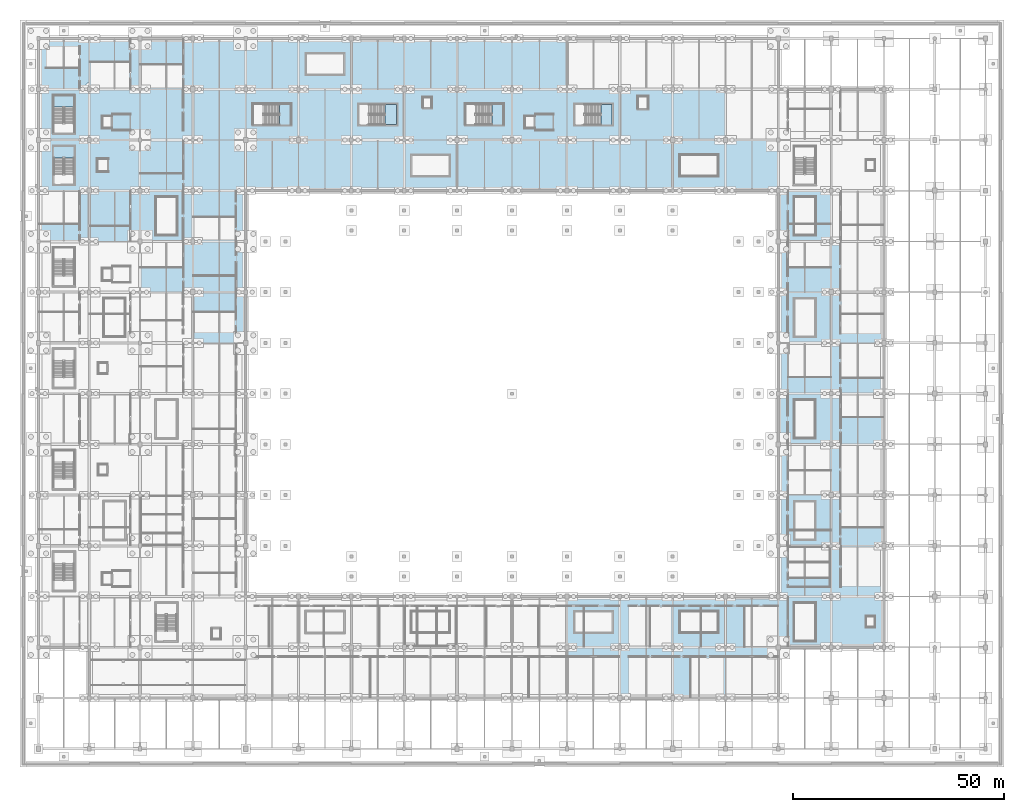
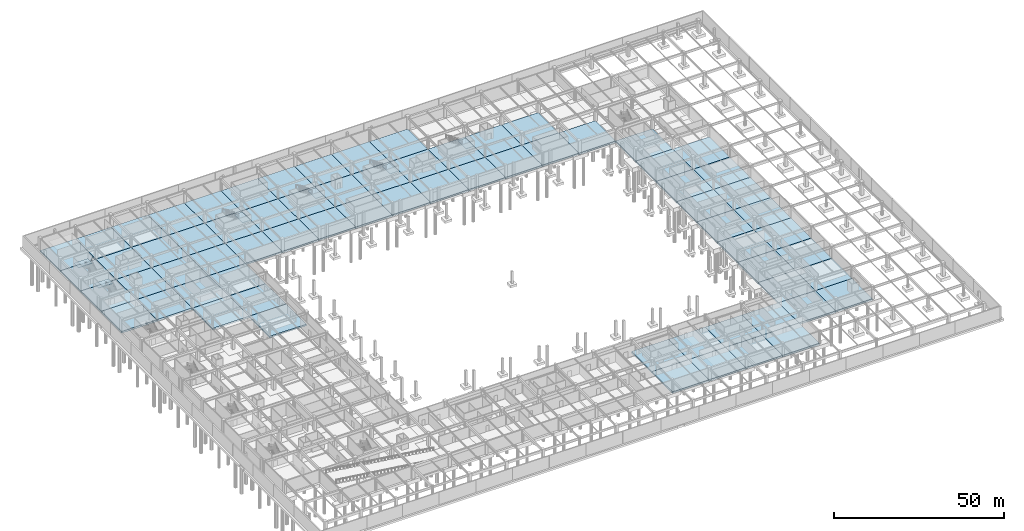
# One storey, part 21 of 56: 75 slabs, 6 elements without a shape of their own.
"""IFC4 building model written with IfcOpenShell, lengths in metres."""

from ifc_helpers import new_model, si_unit, direction, frame, origin, place, context, subcontext, project, spatial, polyline, outline, extrude, material, layer, layer_set, type_object, element, aggregate, save


model = new_model("IFC4")

# Units and contexts
model_context = context("Model", 3, precision=1e-05, world=origin(), true_north=direction((0.0, 1.0)))
body_context = subcontext(model_context, "Body", "Model", "MODEL_VIEW")
ifc_project = project(units=[si_unit("LENGTHUNIT", "METRE"), si_unit("AREAUNIT", "SQUARE_METRE"), si_unit("VOLUMEUNIT", "CUBIC_METRE"), si_unit("PLANEANGLEUNIT", "RADIAN"), si_unit("MASSUNIT", "GRAM", prefix="KILO")], contexts=[model_context])

# Site, building, storey
site_placement = place(None, origin())
site = spatial("IfcSite", under=ifc_project, at=site_placement, CompositionType="ELEMENT")
building_placement = place(site_placement, origin())
building = spatial("IfcBuilding", under=site, at=building_placement, Name="Kazenohara Klinker Stadium", CompositionType="ELEMENT")
storey_placement = place(building_placement, frame((0.0, 0.0, -4.800048828125)))
storey = spatial("IfcBuildingStorey", under=building, at=storey_placement, Name="B01", CompositionType="ELEMENT", Elevation=-4.800048828125)

# Slabs
ifc_material_1 = material(Name="Concrete C35/45", Category="concrete")
ifc_layer_1 = layer(ifc_material_1, 0.580078125)
ifc_layer_set_1 = layer_set([ifc_layer_1], Name="Concrete C35/45")
slab_type_1 = type_object("IfcSlabType", Name="SLB-BASE-580", PredefinedType="BASESLAB", material=ifc_layer_set_1)
slab_1_placement = place(storey_placement, frame((0.0, 0.0, -0.579833984375)))
element("IfcSlab", 1, at=slab_1_placement, inside=storey, type_object=slab_type_1, Name="Basement base slab BS02 1/M", PredefinedType="BASESLAB", context=body_context, shape_type="SweptSolid", body=[
    extrude(outline(polyline([(0.0, 132.0), (12.0, 132.0), (12.0, 144.0), (0.0, 144.0), (0.0, 132.0)])), origin(), (0.0, 0.0, 1.0), 0.579833984375),
])
slab_2_placement = place(storey_placement, frame((0.0, 0.0, -0.579833984375)))
element("IfcSlab", 2, at=slab_2_placement, inside=storey, type_object=slab_type_1, Name="Basement base slab BS02 1/P", PredefinedType="BASESLAB", context=body_context, shape_type="SweptSolid", body=[
    extrude(outline(polyline([(0.0, 156.0), (10.199951171875, 156.0), (12.0, 157.800048828125), (12.0, 168.0), (0.0, 168.0), (0.0, 156.0)])), origin(), (0.0, 0.0, 1.0), 0.579833984375),
])
slab_3_placement = place(storey_placement, frame((0.0, 0.0, -0.579833984375)))
element("IfcSlab", 3, at=slab_3_placement, inside=storey, type_object=slab_type_1, Name="Basement base slab BS02 2/L", PredefinedType="BASESLAB", context=body_context, shape_type="SweptSolid", body=[
    extrude(outline(polyline([(12.0, 120.0), (24.0, 120.0), (24.0, 132.0), (12.0, 132.0), (12.0, 120.0)])), origin(), (0.0, 0.0, 1.0), 0.579833984375),
])
slab_4_placement = place(storey_placement, frame((0.0, 0.0, -0.579833984375)))
element("IfcSlab", 4, at=slab_4_placement, inside=storey, type_object=slab_type_1, Name="Basement base slab BS02 2/N", PredefinedType="BASESLAB", context=body_context, shape_type="SweptSolid", body=[
    extrude(outline(polyline([(12.0, 144.0), (24.0, 144.0), (24.0, 156.0), (12.0, 156.0), (12.0, 144.0)])), origin(), (0.0, 0.0, 1.0), 0.579833984375),
])
slab_5_placement = place(storey_placement, frame((0.0, 0.0, -0.579833984375)))
element("IfcSlab", 5, at=slab_5_placement, inside=storey, type_object=slab_type_1, Name="Basement base slab BS02 3/K", PredefinedType="BASESLAB", context=body_context, shape_type="SweptSolid", body=[
    extrude(outline(polyline([(24.0, 108.0), (36.5, 108.0), (36.5, 120.0), (24.0, 120.0), (24.0, 108.0)])), origin(), (0.0, 0.0, 1.0), 0.579833984375),
])
slab_6_placement = place(storey_placement, frame((0.0, 0.0, -0.579833984375)))
element("IfcSlab", 6, at=slab_6_placement, inside=storey, type_object=slab_type_1, Name="Basement base slab BS02 3/M", PredefinedType="BASESLAB", context=body_context, shape_type="SweptSolid", body=[
    extrude(outline(polyline([(24.0, 132.0), (36.5, 132.0), (36.5, 144.0), (24.0, 144.0), (24.0, 132.0)])), origin(), (0.0, 0.0, 1.0), 0.579833984375),
])
slab_7_placement = place(storey_placement, frame((0.0, 0.0, -0.579833984375)))
element("IfcSlab", 7, at=slab_7_placement, inside=storey, type_object=slab_type_1, Name="Basement base slab BS02 3/P", PredefinedType="BASESLAB", context=body_context, shape_type="SweptSolid", body=[
    extrude(outline(polyline([(24.0, 156.0), (36.5, 156.0), (36.5, 168.0), (24.0, 168.0), (24.0, 156.0)])), origin(), (0.0, 0.0, 1.0), 0.579833984375),
])
slab_8_placement = place(storey_placement, frame((0.0, 0.0, -0.579833984375)))
element("IfcSlab", 8, at=slab_8_placement, inside=storey, type_object=slab_type_1, Name="Basement base slab BS02 4/J", PredefinedType="BASESLAB", context=body_context, shape_type="SweptSolid", body=[
    extrude(outline(polyline([(36.5, 96.0), (49.0, 96.0), (49.0, 108.0), (36.5, 108.0), (36.5, 96.0)])), origin(), (0.0, 0.0, 1.0), 0.579833984375),
])
slab_9_placement = place(storey_placement, frame((0.0, 0.0, -0.579833984375)))
element("IfcSlab", 9, at=slab_9_placement, inside=storey, type_object=slab_type_1, Name="Basement base slab BS02 4/L", PredefinedType="BASESLAB", context=body_context, shape_type="SweptSolid", body=[
    extrude(outline(polyline([(36.5, 120.0), (49.0, 120.0), (49.0, 132.0), (36.5, 132.0), (36.5, 120.0)])), origin(), (0.0, 0.0, 1.0), 0.579833984375),
])
slab_10_placement = place(storey_placement, frame((0.0, 0.0, -0.579833984375)))
element("IfcSlab", 10, at=slab_10_placement, inside=storey, type_object=slab_type_1, Name="Basement base slab BS02 4/N", PredefinedType="BASESLAB", context=body_context, shape_type="SweptSolid", body=[
    extrude(outline(polyline([(36.5, 144.0), (49.0, 144.0), (49.0, 156.0), (36.5, 156.0), (36.5, 144.0)])), origin(), (0.0, 0.0, 1.0), 0.579833984375),
])
slab_11_placement = place(storey_placement, frame((0.0, 0.0, -0.579833984375)))
element("IfcSlab", 11, at=slab_11_placement, inside=storey, type_object=slab_type_1, Name="Basement base slab BS02 5/M", PredefinedType="BASESLAB", context=body_context, shape_type="SweptSolid", body=[
    extrude(outline(polyline([(49.0, 132.0), (61.5, 132.0), (61.5, 144.0), (49.0, 144.0), (49.0, 132.0)])), origin(), (0.0, 0.0, 1.0), 0.579833984375),
])
slab_12_placement = place(storey_placement, frame((0.0, 0.0, -0.579833984375)))
element("IfcSlab", 12, at=slab_12_placement, inside=storey, type_object=slab_type_1, Name="Basement base slab BS02 5/P", PredefinedType="BASESLAB", context=body_context, shape_type="SweptSolid", body=[
    extrude(outline(polyline([(49.0, 156.0), (61.5, 156.0), (61.5, 168.0), (49.0, 168.0), (49.0, 156.0)])), origin(), (0.0, 0.0, 1.0), 0.579833984375),
])
slab_13_placement = place(storey_placement, frame((0.0, 0.0, -0.579833984375)))
element("IfcSlab", 13, at=slab_13_placement, inside=storey, type_object=slab_type_1, Name="Basement base slab BS02 6/N", PredefinedType="BASESLAB", context=body_context, shape_type="SweptSolid", body=[
    extrude(outline(polyline([(61.5, 144.0), (74.0, 144.0), (74.0, 156.0), (61.5, 156.0), (61.5, 144.0)])), origin(), (0.0, 0.0, 1.0), 0.579833984375),
])
slab_14_placement = place(storey_placement, frame((0.0, 0.0, -0.579833984375)))
element("IfcSlab", 14, at=slab_14_placement, inside=storey, type_object=slab_type_1, Name="Basement base slab BS02 7/M", PredefinedType="BASESLAB", context=body_context, shape_type="SweptSolid", body=[
    extrude(outline(polyline([(74.0, 132.0), (86.5, 132.0), (86.5, 144.0), (74.0, 144.0), (74.0, 132.0)])), origin(), (0.0, 0.0, 1.0), 0.579833984375),
])
slab_15_placement = place(storey_placement, frame((0.0, 0.0, -0.579833984375)))
element("IfcSlab", 15, at=slab_15_placement, inside=storey, type_object=slab_type_1, Name="Basement base slab BS02 7/P", PredefinedType="BASESLAB", context=body_context, shape_type="SweptSolid", body=[
    extrude(outline(polyline([(74.0, 156.0), (86.5, 156.0), (86.5, 168.0), (74.0, 168.0), (74.0, 156.0)])), origin(), (0.0, 0.0, 1.0), 0.579833984375),
])
slab_16_placement = place(storey_placement, frame((0.0, 0.0, -0.579833984375)))
element("IfcSlab", 16, at=slab_16_placement, inside=storey, type_object=slab_type_1, Name="Basement base slab BS02 8/N", PredefinedType="BASESLAB", context=body_context, shape_type="SweptSolid", body=[
    extrude(outline(polyline([(86.5, 144.0), (99.0, 144.0), (99.0, 156.0), (86.5, 156.0), (86.5, 144.0)])), origin(), (0.0, 0.0, 1.0), 0.579833984375),
])
slab_17_placement = place(storey_placement, frame((0.0, 0.0, -0.579833984375)))
element("IfcSlab", 17, at=slab_17_placement, inside=storey, type_object=slab_type_1, Name="Basement base slab BS02 9/M", PredefinedType="BASESLAB", context=body_context, shape_type="SweptSolid", body=[
    extrude(outline(polyline([(99.0, 132.0), (112.0, 132.0), (112.0, 144.0), (99.0, 144.0), (99.0, 132.0)])), origin(), (0.0, 0.0, 1.0), 0.579833984375),
])
slab_18_placement = place(storey_placement, frame((0.0, 0.0, -0.579833984375)))
element("IfcSlab", 18, at=slab_18_placement, inside=storey, type_object=slab_type_1, Name="Basement base slab BS02 9/P", PredefinedType="BASESLAB", context=body_context, shape_type="SweptSolid", body=[
    extrude(outline(polyline([(99.0, 156.0), (112.0, 156.0), (112.0, 168.0), (99.0, 168.0), (99.0, 156.0)])), origin(), (0.0, 0.0, 1.0), 0.579833984375),
])
slab_19_placement = place(storey_placement, frame((0.0, 0.0, -0.579833984375)))
element("IfcSlab", 19, at=slab_19_placement, inside=storey, type_object=slab_type_1, Name="Basement base slab BS02 10/N", PredefinedType="BASESLAB", context=body_context, shape_type="SweptSolid", body=[
    extrude(outline(polyline([(112.0, 144.0), (125.0, 144.0), (125.0, 156.0), (112.0, 156.0), (112.0, 144.0)])), origin(), (0.0, 0.0, 1.0), 0.579833984375),
])
slab_20_placement = place(storey_placement, frame((0.0, 0.0, -0.579833984375)))
element("IfcSlab", 20, at=slab_20_placement, inside=storey, type_object=slab_type_1, Name="Basement base slab BS02 11/B", PredefinedType="BASESLAB", context=body_context, shape_type="SweptSolid", body=[
    extrude(outline(polyline([(125.0, 12.0), (137.5, 12.0), (137.5, 24.0), (125.0, 24.0), (125.0, 12.0)])), origin(), (0.0, 0.0, 1.0), 0.579833984375),
])
slab_21_placement = place(storey_placement, frame((0.0, 0.0, -0.579833984375)))
element("IfcSlab", 21, at=slab_21_placement, inside=storey, type_object=slab_type_1, Name="Basement base slab BS02 11/M", PredefinedType="BASESLAB", context=body_context, shape_type="SweptSolid", body=[
    extrude(outline(polyline([(125.0, 132.0), (137.5, 132.0), (137.5, 144.0), (125.0, 144.0), (125.0, 132.0)])), origin(), (0.0, 0.0, 1.0), 0.579833984375),
])
slab_22_placement = place(storey_placement, frame((0.0, 0.0, -0.579833984375)))
element("IfcSlab", 22, at=slab_22_placement, inside=storey, type_object=slab_type_1, Name="Basement base slab BS02 12/C", PredefinedType="BASESLAB", context=body_context, shape_type="SweptSolid", body=[
    extrude(outline(polyline([(137.5, 24.0), (150.0, 24.0), (150.0, 36.0), (137.5, 36.0), (137.5, 24.0)])), origin(), (0.0, 0.0, 1.0), 0.579833984375),
])
slab_23_placement = place(storey_placement, frame((0.0, 0.0, -0.579833984375)))
element("IfcSlab", 23, at=slab_23_placement, inside=storey, type_object=slab_type_1, Name="Basement base slab BS02 12/N", PredefinedType="BASESLAB", context=body_context, shape_type="SweptSolid", body=[
    extrude(outline(polyline([(137.5, 144.0), (150.0, 144.0), (150.0, 156.0), (137.5, 156.0), (137.5, 144.0)])), origin(), (0.0, 0.0, 1.0), 0.579833984375),
])
slab_24_placement = place(storey_placement, frame((0.0, 0.0, -0.579833984375)))
element("IfcSlab", 24, at=slab_24_placement, inside=storey, type_object=slab_type_1, Name="Basement base slab BS02 13/B", PredefinedType="BASESLAB", context=body_context, shape_type="SweptSolid", body=[
    extrude(outline(polyline([(150.0, 12.0), (162.5, 12.0), (162.5, 24.0), (150.0, 24.0), (150.0, 12.0)])), origin(), (0.0, 0.0, 1.0), 0.579833984375),
])
slab_25_placement = place(storey_placement, frame((0.0, 0.0, -0.579833984375)))
element("IfcSlab", 25, at=slab_25_placement, inside=storey, type_object=slab_type_1, Name="Basement base slab BS02 13/M", PredefinedType="BASESLAB", context=body_context, shape_type="SweptSolid", body=[
    extrude(outline(polyline([(150.0, 132.0), (162.5, 132.0), (162.5, 144.0), (150.0, 144.0), (150.0, 132.0)])), origin(), (0.0, 0.0, 1.0), 0.579833984375),
])
slab_26_placement = place(storey_placement, frame((0.0, 0.0, -0.579833984375)))
element("IfcSlab", 26, at=slab_26_placement, inside=storey, type_object=slab_type_1, Name="Basement base slab BS02 14/C", PredefinedType="BASESLAB", context=body_context, shape_type="SweptSolid", body=[
    extrude(outline(polyline([(162.5, 24.0), (175.0, 24.0), (175.0, 36.0), (162.5, 36.0), (162.5, 24.0)])), origin(), (0.0, 0.0, 1.0), 0.579833984375),
])
slab_27_placement = place(storey_placement, frame((0.0, 0.0, -0.579833984375)))
element("IfcSlab", 27, at=slab_27_placement, inside=storey, type_object=slab_type_1, Name="Basement base slab BS02 15/D", PredefinedType="BASESLAB", context=body_context, shape_type="SweptSolid", body=[
    extrude(outline(polyline([(175.0, 36.0), (187.5, 36.0), (187.5, 48.0), (175.0, 48.0), (175.0, 36.0)])), origin(), (0.0, 0.0, 1.0), 0.579833984375),
])
slab_28_placement = place(storey_placement, frame((0.0, 0.0, -0.579833984375)))
element("IfcSlab", 28, at=slab_28_placement, inside=storey, type_object=slab_type_1, Name="Basement base slab BS02 15/F", PredefinedType="BASESLAB", context=body_context, shape_type="SweptSolid", body=[
    extrude(outline(polyline([(175.0, 60.0), (187.5, 60.0), (187.5, 72.0), (175.0, 72.0), (175.0, 60.0)])), origin(), (0.0, 0.0, 1.0), 0.579833984375),
])
slab_29_placement = place(storey_placement, frame((0.0, 0.0, -0.579833984375)))
element("IfcSlab", 29, at=slab_29_placement, inside=storey, type_object=slab_type_1, Name="Basement base slab BS02 15/H", PredefinedType="BASESLAB", context=body_context, shape_type="SweptSolid", body=[
    extrude(outline(polyline([(175.0, 84.0), (187.5, 84.0), (187.5, 96.0), (175.0, 96.0), (175.0, 84.0)])), origin(), (0.0, 0.0, 1.0), 0.579833984375),
])
slab_30_placement = place(storey_placement, frame((0.0, 0.0, -0.579833984375)))
element("IfcSlab", 30, at=slab_30_placement, inside=storey, type_object=slab_type_1, Name="Basement base slab BS02 15/K", PredefinedType="BASESLAB", context=body_context, shape_type="SweptSolid", body=[
    extrude(outline(polyline([(175.0, 108.0), (187.5, 108.0), (187.5, 120.0), (175.0, 120.0), (175.0, 108.0)])), origin(), (0.0, 0.0, 1.0), 0.579833984375),
])
slab_31_placement = place(storey_placement, frame((0.0, 0.0, -0.579833984375)))
element("IfcSlab", 31, at=slab_31_placement, inside=storey, type_object=slab_type_1, Name="Basement base slab BS02 16/C", PredefinedType="BASESLAB", context=body_context, shape_type="SweptSolid", body=[
    extrude(outline(polyline([(187.5, 24.0), (200.0, 24.0), (200.0, 36.0), (187.5, 36.0), (187.5, 24.0)])), origin(), (0.0, 0.0, 1.0), 0.579833984375),
])
slab_32_placement = place(storey_placement, frame((0.0, 0.0, -0.579833984375)))
element("IfcSlab", 32, at=slab_32_placement, inside=storey, type_object=slab_type_1, Name="Basement base slab BS02 16/E", PredefinedType="BASESLAB", context=body_context, shape_type="SweptSolid", body=[
    extrude(outline(polyline([(187.5, 48.0), (200.0, 48.0), (200.0, 60.0), (187.5, 60.0), (187.5, 48.0)])), origin(), (0.0, 0.0, 1.0), 0.579833984375),
])
slab_33_placement = place(storey_placement, frame((0.0, 0.0, -0.579833984375)))
element("IfcSlab", 33, at=slab_33_placement, inside=storey, type_object=slab_type_1, Name="Basement base slab BS02 16/G", PredefinedType="BASESLAB", context=body_context, shape_type="SweptSolid", body=[
    extrude(outline(polyline([(187.5, 72.0), (200.0, 72.0), (200.0, 84.0), (187.5, 84.0), (187.5, 72.0)])), origin(), (0.0, 0.0, 1.0), 0.579833984375),
])
slab_34_placement = place(storey_placement, frame((0.0, 0.0, -0.579833984375)))
element("IfcSlab", 34, at=slab_34_placement, inside=storey, type_object=slab_type_1, Name="Basement base slab BS02 16/J", PredefinedType="BASESLAB", context=body_context, shape_type="SweptSolid", body=[
    extrude(outline(polyline([(187.5, 96.0), (200.0, 96.0), (200.0, 108.0), (187.5, 108.0), (187.5, 96.0)])), origin(), (0.0, 0.0, 1.0), 0.579833984375),
])
ifc_layer_2 = layer(ifc_material_1, 0.64990234375)
ifc_layer_set_2 = layer_set([ifc_layer_2], Name="Concrete C35/45")
slab_type_2 = type_object("IfcSlabType", Name="SLB-BASE-650", PredefinedType="BASESLAB", material=ifc_layer_set_2)
slab_35_placement = place(storey_placement, frame((0.0, 0.0, -0.64990234375)))
element("IfcSlab", 35, at=slab_35_placement, inside=storey, type_object=slab_type_2, Name="Basement base slab BS01 1/L", PredefinedType="BASESLAB", context=body_context, shape_type="SweptSolid", body=[
    extrude(outline(polyline([(0.0, 120.0), (12.0, 120.0), (12.0, 132.0), (0.0, 132.0), (0.0, 120.0)])), origin(), (0.0, 0.0, 1.0), 0.64990234375),
])
slab_36_placement = place(storey_placement, frame((0.0, 0.0, -0.64990234375)))
element("IfcSlab", 36, at=slab_36_placement, inside=storey, type_object=slab_type_2, Name="Basement base slab BS01 1/N", PredefinedType="BASESLAB", context=body_context, shape_type="SweptSolid", body=[
    extrude(outline(polyline([(0.0, 144.0), (12.0, 144.0), (12.0, 156.0), (0.0, 156.0), (0.0, 144.0)])), origin(), (0.0, 0.0, 1.0), 0.64990234375),
])
slab_37_placement = place(storey_placement, frame((0.0, 0.0, -0.64990234375)))
element("IfcSlab", 37, at=slab_37_placement, inside=storey, type_object=slab_type_2, Name="Basement base slab BS01 2/M", PredefinedType="BASESLAB", context=body_context, shape_type="SweptSolid", body=[
    extrude(outline(polyline([(12.0, 132.0), (24.0, 132.0), (24.0, 144.0), (12.0, 144.0), (12.0, 132.0)])), origin(), (0.0, 0.0, 1.0), 0.64990234375),
])
slab_38_placement = place(storey_placement, frame((0.0, 0.0, -0.64990234375)))
element("IfcSlab", 38, at=slab_38_placement, inside=storey, type_object=slab_type_2, Name="Basement base slab BS01 2/P", PredefinedType="BASESLAB", context=body_context, shape_type="SweptSolid", body=[
    extrude(outline(polyline([(12.0, 156.0), (24.0, 156.0), (24.0, 168.0), (12.0, 168.0), (12.0, 156.0)])), origin(), (0.0, 0.0, 1.0), 0.64990234375),
])
slab_39_placement = place(storey_placement, frame((0.0, 0.0, -0.64990234375)))
element("IfcSlab", 39, at=slab_39_placement, inside=storey, type_object=slab_type_2, Name="Basement base slab BS01 3/L", PredefinedType="BASESLAB", context=body_context, shape_type="SweptSolid", body=[
    extrude(outline(polyline([(24.0, 120.0), (36.5, 120.0), (36.5, 132.0), (24.0, 132.0), (24.0, 120.0)])), origin(), (0.0, 0.0, 1.0), 0.64990234375),
])
slab_40_placement = place(storey_placement, frame((0.0, 0.0, -0.64990234375)))
element("IfcSlab", 40, at=slab_40_placement, inside=storey, type_object=slab_type_2, Name="Basement base slab BS01 3/N", PredefinedType="BASESLAB", context=body_context, shape_type="SweptSolid", body=[
    extrude(outline(polyline([(24.0, 144.0), (36.5, 144.0), (36.5, 156.0), (24.0, 156.0), (24.0, 144.0)])), origin(), (0.0, 0.0, 1.0), 0.64990234375),
])
slab_41_placement = place(storey_placement, frame((0.0, 0.0, -0.64990234375)))
element("IfcSlab", 41, at=slab_41_placement, inside=storey, type_object=slab_type_2, Name="Basement base slab BS01 4/K", PredefinedType="BASESLAB", context=body_context, shape_type="SweptSolid", body=[
    extrude(outline(polyline([(36.5, 108.0), (49.0, 108.0), (49.0, 120.0), (36.5, 120.0), (36.5, 108.0)])), origin(), (0.0, 0.0, 1.0), 0.64990234375),
])
slab_42_placement = place(storey_placement, frame((0.0, 0.0, -0.64990234375)))
element("IfcSlab", 42, at=slab_42_placement, inside=storey, type_object=slab_type_2, Name="Basement base slab BS01 4/M", PredefinedType="BASESLAB", context=body_context, shape_type="SweptSolid", body=[
    extrude(outline(polyline([(36.5, 132.0), (49.0, 132.0), (49.0, 144.0), (36.5, 144.0), (36.5, 132.0)])), origin(), (0.0, 0.0, 1.0), 0.64990234375),
])
slab_43_placement = place(storey_placement, frame((0.0, 0.0, -0.64990234375)))
element("IfcSlab", 43, at=slab_43_placement, inside=storey, type_object=slab_type_2, Name="Basement base slab BS01 4/P", PredefinedType="BASESLAB", context=body_context, shape_type="SweptSolid", body=[
    extrude(outline(polyline([(36.5, 156.0), (49.0, 156.0), (49.0, 168.0), (36.5, 168.0), (36.5, 156.0)])), origin(), (0.0, 0.0, 1.0), 0.64990234375),
])
slab_44_placement = place(storey_placement, frame((0.0, 0.0, -0.64990234375)))
element("IfcSlab", 44, at=slab_44_placement, inside=storey, type_object=slab_type_2, Name="Basement base slab BS01 5/N", PredefinedType="BASESLAB", context=body_context, shape_type="SweptSolid", body=[
    extrude(outline(polyline([(49.0, 144.0), (61.5, 144.0), (61.5, 156.0), (49.0, 156.0), (49.0, 144.0)])), origin(), (0.0, 0.0, 1.0), 0.64990234375),
])
slab_45_placement = place(storey_placement, frame((0.0, 0.0, -0.64990234375)))
element("IfcSlab", 45, at=slab_45_placement, inside=storey, type_object=slab_type_2, Name="Basement base slab BS01 6/M", PredefinedType="BASESLAB", context=body_context, shape_type="SweptSolid", body=[
    extrude(outline(polyline([(61.5, 132.0), (74.0, 132.0), (74.0, 144.0), (61.5, 144.0), (61.5, 132.0)])), origin(), (0.0, 0.0, 1.0), 0.64990234375),
])
slab_46_placement = place(storey_placement, frame((0.0, 0.0, -0.64990234375)))
element("IfcSlab", 46, at=slab_46_placement, inside=storey, type_object=slab_type_2, Name="Basement base slab BS01 6/P", PredefinedType="BASESLAB", context=body_context, shape_type="SweptSolid", body=[
    extrude(outline(polyline([(61.5, 156.0), (74.0, 156.0), (74.0, 168.0), (61.5, 168.0), (61.5, 156.0)])), origin(), (0.0, 0.0, 1.0), 0.64990234375),
])
slab_47_placement = place(storey_placement, frame((0.0, 0.0, -0.64990234375)))
element("IfcSlab", 47, at=slab_47_placement, inside=storey, type_object=slab_type_2, Name="Basement base slab BS01 7/N", PredefinedType="BASESLAB", context=body_context, shape_type="SweptSolid", body=[
    extrude(outline(polyline([(74.0, 144.0), (86.5, 144.0), (86.5, 156.0), (74.0, 156.0), (74.0, 144.0)])), origin(), (0.0, 0.0, 1.0), 0.64990234375),
])
slab_48_placement = place(storey_placement, frame((0.0, 0.0, -0.64990234375)))
element("IfcSlab", 48, at=slab_48_placement, inside=storey, type_object=slab_type_2, Name="Basement base slab BS01 8/M", PredefinedType="BASESLAB", context=body_context, shape_type="SweptSolid", body=[
    extrude(outline(polyline([(86.5, 132.0), (99.0, 132.0), (99.0, 144.0), (86.5, 144.0), (86.5, 132.0)])), origin(), (0.0, 0.0, 1.0), 0.64990234375),
])
slab_49_placement = place(storey_placement, frame((0.0, 0.0, -0.64990234375)))
element("IfcSlab", 49, at=slab_49_placement, inside=storey, type_object=slab_type_2, Name="Basement base slab BS01 8/P", PredefinedType="BASESLAB", context=body_context, shape_type="SweptSolid", body=[
    extrude(outline(polyline([(86.5, 156.0), (99.0, 156.0), (99.0, 168.0), (86.5, 168.0), (86.5, 156.0)])), origin(), (0.0, 0.0, 1.0), 0.64990234375),
])
slab_50_placement = place(storey_placement, frame((0.0, 0.0, -0.64990234375)))
element("IfcSlab", 50, at=slab_50_placement, inside=storey, type_object=slab_type_2, Name="Basement base slab BS01 9/N", PredefinedType="BASESLAB", context=body_context, shape_type="SweptSolid", body=[
    extrude(outline(polyline([(99.0, 144.0), (112.0, 144.0), (112.0, 156.0), (99.0, 156.0), (99.0, 144.0)])), origin(), (0.0, 0.0, 1.0), 0.64990234375),
])
slab_51_placement = place(storey_placement, frame((0.0, 0.0, -0.64990234375)))
element("IfcSlab", 51, at=slab_51_placement, inside=storey, type_object=slab_type_2, Name="Basement base slab BS01 10/M", PredefinedType="BASESLAB", context=body_context, shape_type="SweptSolid", body=[
    extrude(outline(polyline([(112.0, 132.0), (125.0, 132.0), (125.0, 144.0), (112.0, 144.0), (112.0, 132.0)])), origin(), (0.0, 0.0, 1.0), 0.64990234375),
])
slab_52_placement = place(storey_placement, frame((0.0, 0.0, -0.64990234375)))
element("IfcSlab", 52, at=slab_52_placement, inside=storey, type_object=slab_type_2, Name="Basement base slab BS01 10/P", PredefinedType="BASESLAB", context=body_context, shape_type="SweptSolid", body=[
    extrude(outline(polyline([(112.0, 156.0), (125.0, 156.0), (125.0, 168.0), (112.0, 168.0), (112.0, 156.0)])), origin(), (0.0, 0.0, 1.0), 0.64990234375),
])
slab_53_placement = place(storey_placement, frame((0.0, 0.0, -0.64990234375)))
element("IfcSlab", 53, at=slab_53_placement, inside=storey, type_object=slab_type_2, Name="Basement base slab BS01 11/C", PredefinedType="BASESLAB", context=body_context, shape_type="SweptSolid", body=[
    extrude(outline(polyline([(125.0, 24.0), (137.5, 24.0), (137.5, 36.0), (125.0, 36.0), (125.0, 24.0)])), origin(), (0.0, 0.0, 1.0), 0.64990234375),
])
slab_54_placement = place(storey_placement, frame((0.0, 0.0, -0.64990234375)))
element("IfcSlab", 54, at=slab_54_placement, inside=storey, type_object=slab_type_2, Name="Basement base slab BS01 11/N", PredefinedType="BASESLAB", context=body_context, shape_type="SweptSolid", body=[
    extrude(outline(polyline([(125.0, 144.0), (137.5, 144.0), (137.5, 156.0), (125.0, 156.0), (125.0, 144.0)])), origin(), (0.0, 0.0, 1.0), 0.64990234375),
])
slab_55_placement = place(storey_placement, frame((0.0, 0.0, -0.64990234375)))
element("IfcSlab", 55, at=slab_55_placement, inside=storey, type_object=slab_type_2, Name="Basement base slab BS01 12/B", PredefinedType="BASESLAB", context=body_context, shape_type="SweptSolid", body=[
    extrude(outline(polyline([(137.5, 12.0), (150.0, 12.0), (150.0, 24.0), (137.5, 24.0), (137.5, 12.0)])), origin(), (0.0, 0.0, 1.0), 0.64990234375),
])
slab_56_placement = place(storey_placement, frame((0.0, 0.0, -0.64990234375)))
element("IfcSlab", 56, at=slab_56_placement, inside=storey, type_object=slab_type_2, Name="Basement base slab BS01 12/M", PredefinedType="BASESLAB", context=body_context, shape_type="SweptSolid", body=[
    extrude(outline(polyline([(137.5, 132.0), (150.0, 132.0), (150.0, 144.0), (137.5, 144.0), (137.5, 132.0)])), origin(), (0.0, 0.0, 1.0), 0.64990234375),
])
slab_57_placement = place(storey_placement, frame((0.0, 0.0, -0.64990234375)))
element("IfcSlab", 57, at=slab_57_placement, inside=storey, type_object=slab_type_2, Name="Basement base slab BS01 13/C", PredefinedType="BASESLAB", context=body_context, shape_type="SweptSolid", body=[
    extrude(outline(polyline([(150.0, 24.0), (162.5, 24.0), (162.5, 36.0), (150.0, 36.0), (150.0, 24.0)])), origin(), (0.0, 0.0, 1.0), 0.64990234375),
])
slab_58_placement = place(storey_placement, frame((0.0, 0.0, -0.64990234375)))
element("IfcSlab", 58, at=slab_58_placement, inside=storey, type_object=slab_type_2, Name="Basement base slab BS01 13/N", PredefinedType="BASESLAB", context=body_context, shape_type="SweptSolid", body=[
    extrude(outline(polyline([(150.0, 144.0), (162.5, 144.0), (162.5, 156.0), (150.0, 156.0), (150.0, 144.0)])), origin(), (0.0, 0.0, 1.0), 0.64990234375),
])
slab_59_placement = place(storey_placement, frame((0.0, 0.0, -0.64990234375)))
element("IfcSlab", 59, at=slab_59_placement, inside=storey, type_object=slab_type_2, Name="Basement base slab BS01 14/B", PredefinedType="BASESLAB", context=body_context, shape_type="SweptSolid", body=[
    extrude(outline(polyline([(162.5, 12.0), (175.0, 12.0), (175.0, 24.0), (162.5, 24.0), (162.5, 12.0)])), origin(), (0.0, 0.0, 1.0), 0.64990234375),
])
slab_60_placement = place(storey_placement, frame((0.0, 0.0, -0.64990234375)))
element("IfcSlab", 60, at=slab_60_placement, inside=storey, type_object=slab_type_2, Name="Basement base slab BS01 14/M", PredefinedType="BASESLAB", context=body_context, shape_type="SweptSolid", body=[
    extrude(outline(polyline([(162.5, 132.0), (175.0, 132.0), (175.0, 144.0), (162.5, 144.0), (162.5, 132.0)])), origin(), (0.0, 0.0, 1.0), 0.64990234375),
])
slab_61_placement = place(storey_placement, frame((0.0, 0.0, -0.64990234375)))
element("IfcSlab", 61, at=slab_61_placement, inside=storey, type_object=slab_type_2, Name="Basement base slab BS01 15/C", PredefinedType="BASESLAB", context=body_context, shape_type="SweptSolid", body=[
    extrude(outline(polyline([(175.0, 24.0), (187.5, 24.0), (187.5, 36.0), (175.0, 36.0), (175.0, 24.0)])), origin(), (0.0, 0.0, 1.0), 0.64990234375),
])
slab_62_placement = place(storey_placement, frame((0.0, 0.0, -0.64990234375)))
element("IfcSlab", 62, at=slab_62_placement, inside=storey, type_object=slab_type_2, Name="Basement base slab BS01 15/E", PredefinedType="BASESLAB", context=body_context, shape_type="SweptSolid", body=[
    extrude(outline(polyline([(175.0, 48.0), (187.5, 48.0), (187.5, 60.0), (175.0, 60.0), (175.0, 48.0)])), origin(), (0.0, 0.0, 1.0), 0.64990234375),
])
slab_63_placement = place(storey_placement, frame((0.0, 0.0, -0.64990234375)))
element("IfcSlab", 63, at=slab_63_placement, inside=storey, type_object=slab_type_2, Name="Basement base slab BS01 15/G", PredefinedType="BASESLAB", context=body_context, shape_type="SweptSolid", body=[
    extrude(outline(polyline([(175.0, 72.0), (187.5, 72.0), (187.5, 84.0), (175.0, 84.0), (175.0, 72.0)])), origin(), (0.0, 0.0, 1.0), 0.64990234375),
])
slab_64_placement = place(storey_placement, frame((0.0, 0.0, -0.64990234375)))
element("IfcSlab", 64, at=slab_64_placement, inside=storey, type_object=slab_type_2, Name="Basement base slab BS01 15/J", PredefinedType="BASESLAB", context=body_context, shape_type="SweptSolid", body=[
    extrude(outline(polyline([(175.0, 96.0), (187.5, 96.0), (187.5, 108.0), (175.0, 108.0), (175.0, 96.0)])), origin(), (0.0, 0.0, 1.0), 0.64990234375),
])
slab_65_placement = place(storey_placement, frame((0.0, 0.0, -0.64990234375)))
element("IfcSlab", 65, at=slab_65_placement, inside=storey, type_object=slab_type_2, Name="Basement base slab BS01 15/L", PredefinedType="BASESLAB", context=body_context, shape_type="SweptSolid", body=[
    extrude(outline(polyline([(175.0, 120.0), (187.5, 120.0), (187.5, 132.0), (175.0, 132.0), (175.0, 120.0)])), origin(), (0.0, 0.0, 1.0), 0.64990234375),
])
slab_66_placement = place(storey_placement, frame((0.0, 0.0, -0.64990234375)))
element("IfcSlab", 66, at=slab_66_placement, inside=storey, type_object=slab_type_2, Name="Basement base slab BS01 16/D", PredefinedType="BASESLAB", context=body_context, shape_type="SweptSolid", body=[
    extrude(outline(polyline([(187.5, 36.0), (200.0, 36.0), (200.0, 48.0), (187.5, 48.0), (187.5, 36.0)])), origin(), (0.0, 0.0, 1.0), 0.64990234375),
])
slab_67_placement = place(storey_placement, frame((0.0, 0.0, -0.64990234375)))
element("IfcSlab", 67, at=slab_67_placement, inside=storey, type_object=slab_type_2, Name="Basement base slab BS01 16/F", PredefinedType="BASESLAB", context=body_context, shape_type="SweptSolid", body=[
    extrude(outline(polyline([(187.5, 60.0), (200.0, 60.0), (200.0, 72.0), (187.5, 72.0), (187.5, 60.0)])), origin(), (0.0, 0.0, 1.0), 0.64990234375),
])
slab_68_placement = place(storey_placement, frame((0.0, 0.0, -0.64990234375)))
element("IfcSlab", 68, at=slab_68_placement, inside=storey, type_object=slab_type_2, Name="Basement base slab BS01 16/H", PredefinedType="BASESLAB", context=body_context, shape_type="SweptSolid", body=[
    extrude(outline(polyline([(187.5, 84.0), (200.0, 84.0), (200.0, 96.0), (187.5, 96.0), (187.5, 84.0)])), origin(), (0.0, 0.0, 1.0), 0.64990234375),
])
slab_69_placement = place(storey_placement, frame((0.0, 0.0, -0.64990234375)))
element("IfcSlab", 69, at=slab_69_placement, inside=storey, type_object=slab_type_2, Name="Basement base slab BS01 16/K", PredefinedType="BASESLAB", context=body_context, shape_type="SweptSolid", body=[
    extrude(outline(polyline([(187.5, 108.0), (200.0, 108.0), (200.0, 120.0), (187.5, 120.0), (187.5, 108.0)])), origin(), (0.0, 0.0, 1.0), 0.64990234375),
])

# Stair, slab
ifc_material_2 = material(Name="Concrete C40/50", Category="concrete")
stair_type_1 = type_object("IfcStairType", Name="STR-DL-2300", PredefinedType="HALF_TURN_STAIR", material=ifc_material_2)
stair_1_placement = place(storey_placement, origin())
stair_1 = element("IfcStair", 70, at=stair_1_placement, inside=storey, type_object=stair_type_1, Name="B01 Enclosed escape stair ST05", PredefinedType="HALF_TURN_STAIR")
ifc_layer_3 = layer(ifc_material_2, 0.199951171875)
ifc_layer_set_3 = layer_set([ifc_layer_3], Name="Concrete C40/50")
slab_type_3 = type_object("IfcSlabType", Name="SLB-LND-200", PredefinedType="LANDING", material=ifc_layer_set_3)
slab_70_placement = place(storey_placement, frame((0.0, 0.0, 2.199951171875)))
slab_70 = element("IfcSlab", 71, at=slab_70_placement, type_object=slab_type_3, Name="ST05 landing 1", PredefinedType="LANDING", context=body_context, shape_type="SweptSolid", body=[
    extrude(outline(polyline([(8.39990234375, 139.760009765625), (8.39990234375, 142.4599609375), (3.60009765625, 142.4599609375), (3.60009765625, 139.760009765625), (8.39990234375, 139.760009765625)])), origin(), (0.0, 0.0, 1.0), 0.2001953125),
])
aggregate(stair_1, [slab_70])

stair_type_2 = type_object("IfcStairType", Name="STR-DL-2310", PredefinedType="HALF_TURN_STAIR", material=ifc_material_2)
stair_2_placement = place(storey_placement, origin())
stair_2 = element("IfcStair", 72, at=stair_2_placement, inside=storey, type_object=stair_type_2, Name="B01 Enclosed escape stair ST06", PredefinedType="HALF_TURN_STAIR")
slab_71_placement = place(storey_placement, frame((0.0, 0.0, 2.199951171875)))
slab_71 = element("IfcSlab", 73, at=slab_71_placement, type_object=slab_type_3, Name="ST06 landing 1", PredefinedType="LANDING", context=body_context, shape_type="SweptSolid", body=[
    extrude(outline(polyline([(8.409912109375, 151.77001953125), (8.409912109375, 154.4599609375), (3.590087890625, 154.4599609375), (3.590087890625, 151.77001953125), (8.409912109375, 151.77001953125)])), origin(), (0.0, 0.0, 1.0), 0.2001953125),
])
aggregate(stair_2, [slab_71])

stair_type_3 = type_object("IfcStairType", Name="STR-DL-2340", PredefinedType="HALF_TURN_STAIR", material=ifc_material_2)
stair_3_placement = place(storey_placement, origin())
stair_3 = element("IfcStair", 74, at=stair_3_placement, inside=storey, type_object=stair_type_3, Name="B01 Enclosed escape stair ST08", PredefinedType="HALF_TURN_STAIR")
slab_72_placement = place(storey_placement, frame((0.0, 0.0, 2.199951171875)))
slab_72 = element("IfcSlab", 75, at=slab_72_placement, type_object=slab_type_3, Name="ST08 landing 1", PredefinedType="LANDING", context=body_context, shape_type="SweptSolid", body=[
    extrude(outline(polyline([(57.050048828125, 147.56005859375), (59.7099609375, 147.56005859375), (59.7099609375, 152.43994140625), (57.050048828125, 152.43994140625), (57.050048828125, 147.56005859375)])), origin(), (0.0, 0.0, 1.0), 0.2001953125),
])
aggregate(stair_3, [slab_72])

stair_4_placement = place(storey_placement, origin())
stair_4 = element("IfcStair", 76, at=stair_4_placement, inside=storey, type_object=stair_type_1, Name="B01 Enclosed escape stair ST09", PredefinedType="HALF_TURN_STAIR")
slab_73_placement = place(storey_placement, frame((0.0, 0.0, 2.199951171875)))
slab_73 = element("IfcSlab", 77, at=slab_73_placement, type_object=slab_type_3, Name="ST09 landing 1", PredefinedType="LANDING", context=body_context, shape_type="SweptSolid", body=[
    extrude(outline(polyline([(82.010009765625, 147.60009765625), (84.7099609375, 147.60009765625), (84.7099609375, 152.39990234375), (82.010009765625, 152.39990234375), (82.010009765625, 147.60009765625)])), origin(), (0.0, 0.0, 1.0), 0.2001953125),
])
aggregate(stair_4, [slab_73])

stair_5_placement = place(storey_placement, origin())
stair_5 = element("IfcStair", 78, at=stair_5_placement, inside=storey, type_object=stair_type_2, Name="B01 Enclosed escape stair ST10", PredefinedType="HALF_TURN_STAIR")
slab_74_placement = place(storey_placement, frame((0.0, 0.0, 2.199951171875)))
slab_74 = element("IfcSlab", 79, at=slab_74_placement, type_object=slab_type_3, Name="ST10 landing 1", PredefinedType="LANDING", context=body_context, shape_type="SweptSolid", body=[
    extrude(outline(polyline([(107.27001953125, 147.590087890625), (109.9599609375, 147.590087890625), (109.9599609375, 152.409912109375), (107.27001953125, 152.409912109375), (107.27001953125, 147.590087890625)])), origin(), (0.0, 0.0, 1.0), 0.2001953125),
])
aggregate(stair_5, [slab_74])

stair_type_4 = type_object("IfcStairType", Name="STR-DL-2330", PredefinedType="HALF_TURN_STAIR", material=ifc_material_2)
stair_6_placement = place(storey_placement, origin())
stair_6 = element("IfcStair", 80, at=stair_6_placement, inside=storey, type_object=stair_type_4, Name="B01 Enclosed escape stair ST11", PredefinedType="HALF_TURN_STAIR")
slab_75_placement = place(storey_placement, frame((0.0, 0.0, 2.199951171875)))
slab_75 = element("IfcSlab", 81, at=slab_75_placement, type_object=slab_type_3, Name="ST11 landing 1", PredefinedType="LANDING", context=body_context, shape_type="SweptSolid", body=[
    extrude(outline(polyline([(133.0400390625, 147.570068359375), (135.7099609375, 147.570068359375), (135.7099609375, 152.429931640625), (133.0400390625, 152.429931640625), (133.0400390625, 147.570068359375)])), origin(), (0.0, 0.0, 1.0), 0.2001953125),
])
aggregate(stair_6, [slab_75])

save(model, "model.ifc")
